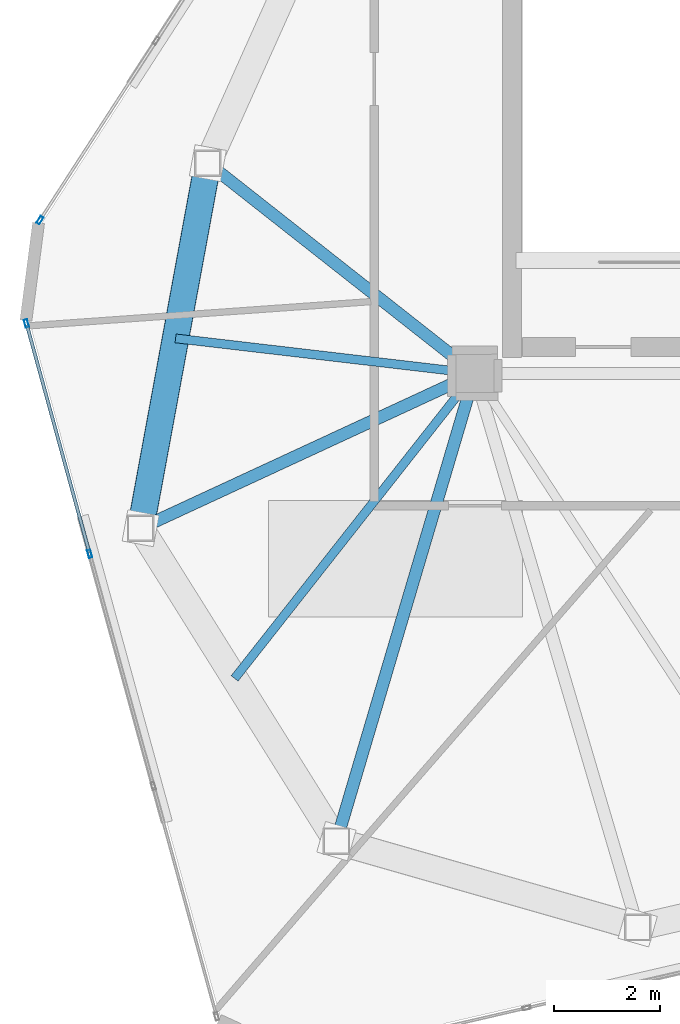
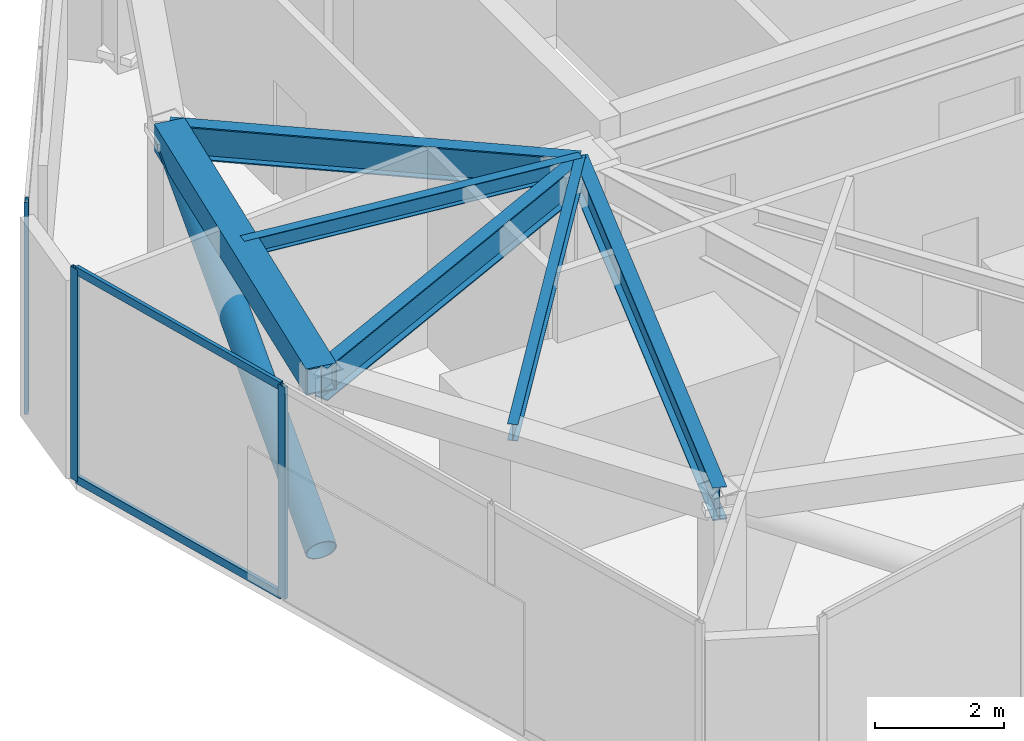
# One storey, part 5 of 20: 6 beams, 6 members, 2 elements without a shape of their own.
"""IFC4 building model written with IfcOpenShell, lengths in metres."""

from ifc_helpers import new_model, si_unit, direction, frame, origin, origin_2d, place, context, subcontext, project, spatial, hollow_rectangle, hollow_circle, i_section, extrude, source, transform, mapped, material, layer, layer_set, material_profile, profile_set, type_object, type_shapes, element, aggregate, save


model = new_model("IFC4")

# Units and contexts
model_context = context("Model", 3, precision=1e-05, world=origin(), true_north=direction((0.0, 1.0)))
body_context = subcontext(model_context, "Body", "Model", "MODEL_VIEW")
ifc_project = project(units=[si_unit("LENGTHUNIT", "METRE"), si_unit("AREAUNIT", "SQUARE_METRE"), si_unit("VOLUMEUNIT", "CUBIC_METRE"), si_unit("PLANEANGLEUNIT", "RADIAN"), si_unit("MASSUNIT", "GRAM", prefix="KILO")], contexts=[model_context])

# Site, building, storey
site_placement = place(None, origin())
site = spatial("IfcSite", under=ifc_project, at=site_placement, CompositionType="ELEMENT")
building_placement = place(site_placement, origin())
building = spatial("IfcBuilding", under=site, at=building_placement, Name="Talar Marvaseh", CompositionType="ELEMENT")
storey_placement = place(building_placement, frame((0.0, 0.0, 312.0)))
storey = spatial("IfcBuildingStorey", under=building, at=storey_placement, Name="L83", CompositionType="ELEMENT", Elevation=312.0)

# Beams
ifc_material_1 = material(Name="Steel S460", Category="steel")
ifc_material_profile_1 = material_profile(ifc_material_1, hollow_rectangle(XDim=0.5, YDim=0.5, WallThickness=0.02490234375, at=origin_2d()), Name="BOX500x500x25")
ifc_profile_set_1 = profile_set([ifc_material_profile_1], Name="Steel S460")
beam_type_1 = type_object("IfcBeamType", Name="Crown Frame Top Ring Beam BOX500x500x25", PredefinedType="BEAM", material=ifc_profile_set_1)
beam_1_placement = place(storey_placement, frame((12.388916015625, 22.576904296875, 3.47509765625), z_axis=(0.18106135948, 0.983471801377, 0.0), x_axis=(-0.983471801377, 0.18106135948, 0.0)))
element("IfcBeam", 1, at=beam_1_placement, inside=storey, type_object=beam_type_1, Name="L83 Crown Frame Top Ring Beam BOX500x500x25", PredefinedType="BEAM", context=body_context, shape_type="SweptSolid", body=[
    extrude(hollow_rectangle(XDim=0.5, YDim=0.5, WallThickness=0.02490234375, at=origin_2d()), origin(), (0.0, 0.0, 1.0), 7.0087890625),
])
ifc_material_2 = material(Name="Steel S355", Category="steel")
ifc_material_profile_2 = material_profile(ifc_material_2, i_section(OverallWidth=0.166015625, OverallDepth=0.31298828125, WebThickness=0.006591796875, FlangeThickness=0.01123046875, at=origin_2d()), Name="W310x45")
ifc_profile_set_2 = profile_set([ifc_material_profile_2], Name="Steel S355")
beam_type_2 = type_object("IfcBeamType", Name="Zone 3 Secondary Floor Joist W310x45", PredefinedType="JOIST", material=ifc_profile_set_2)
beam_2_placement = place(storey_placement, frame((13.048828125, 26.161376953125, 3.568603515625), z_axis=(0.993221011039, -0.116241228622, 0.0), x_axis=(0.116241228622, 0.993221011039, 0.0)))
element("IfcBeam", 2, at=beam_2_placement, inside=storey, type_object=beam_type_2, Name="L83 Zone 3 Secondary Floor Joist W310x45", PredefinedType="JOIST", context=body_context, shape_type="SweptSolid", body=[
    extrude(i_section(OverallWidth=0.166015625, OverallDepth=0.31298828125, WebThickness=0.006591796875, FlangeThickness=0.01123046875, at=origin_2d()), origin(), (0.0, 0.0, 1.0), 5.689697265625),
])
beam_3_placement = place(storey_placement, frame((14.1640625, 19.74072265625, 3.568603515625), z_axis=(0.618727137907, 0.785605962819, 0.0), x_axis=(-0.785605962819, 0.618727137907, 0.0)))
element("IfcBeam", 3, at=beam_3_placement, inside=storey, type_object=beam_type_2, Name="L83 Zone 3 Secondary Floor Joist W310x45", PredefinedType="JOIST", context=body_context, shape_type="SweptSolid", body=[
    extrude(i_section(OverallWidth=0.166015625, OverallDepth=0.31298828125, WebThickness=0.006591796875, FlangeThickness=0.01123046875, at=origin_2d()), origin(), (0.0, 0.0, 1.0), 7.3310546875),
])
ifc_material_profile_3 = material_profile(ifc_material_2, i_section(OverallWidth=0.22998046875, OverallDepth=0.616943359375, WebThickness=0.01318359375, FlangeThickness=0.022216796875, at=origin_2d()), Name="W610x140")
ifc_profile_set_3 = profile_set([ifc_material_profile_3], Name="Steel S355")
beam_type_3 = type_object("IfcBeamType", Name="Zone 4 Radial Floor Girder W610x140", PredefinedType="BEAM", material=ifc_profile_set_3)
beam_4_placement = place(storey_placement, frame((12.388916015625, 22.576904296875, 3.41650390625), z_axis=(0.907394527995, 0.420279871709, 0.0), x_axis=(-0.420279871709, 0.907394527995, 0.0)))
element("IfcBeam", 4, at=beam_4_placement, inside=storey, type_object=beam_type_3, Name="L83 Zone 4 Radial Floor Girder W610x140", PredefinedType="BEAM", context=body_context, shape_type="SweptSolid", body=[
    extrude(i_section(OverallWidth=0.22998046875, OverallDepth=0.616943359375, WebThickness=0.01318359375, FlangeThickness=0.022216796875, at=origin_2d()), origin(), (0.0, 0.0, 1.0), 6.955078125),
])
beam_5_placement = place(storey_placement, frame((13.657958984375, 29.469970703125, 3.41650390625), z_axis=(0.785681617372, -0.618631066245, 0.0), x_axis=(0.618631066245, 0.785681617372, 0.0)))
element("IfcBeam", 5, at=beam_5_placement, inside=storey, type_object=beam_type_3, Name="L83 Zone 4 Radial Floor Girder W610x140", PredefinedType="BEAM", context=body_context, shape_type="SweptSolid", body=[
    extrude(i_section(OverallWidth=0.22998046875, OverallDepth=0.616943359375, WebThickness=0.01318359375, FlangeThickness=0.022216796875, at=origin_2d()), origin(), (0.0, 0.0, 1.0), 6.417236328125),
])
beam_6_placement = place(storey_placement, frame((16.0869140625, 16.66796875, 3.41650390625), z_axis=(0.283702937759, 0.958912218666, 0.0), x_axis=(-0.958912218666, 0.283702937759, 0.0)))
element("IfcBeam", 6, at=beam_6_placement, inside=storey, type_object=beam_type_3, Name="L83 Zone 4 Radial Floor Girder W610x140", PredefinedType="BEAM", context=body_context, shape_type="SweptSolid", body=[
    extrude(i_section(OverallWidth=0.22998046875, OverallDepth=0.616943359375, WebThickness=0.01318359375, FlangeThickness=0.022216796875, at=origin_2d()), origin(), (0.0, 0.0, 1.0), 9.21044921875),
])

# Member
ifc_material_profile_4 = material_profile(ifc_material_1, hollow_circle(Radius=0.25390625, WallThickness=0.02001953125, at=origin_2d()), Name="CHS508x20")
ifc_profile_set_4 = profile_set([ifc_material_profile_4], Name="Steel S460")
member_type_1 = type_object("IfcMemberType", Name="Crown Frame Diagonal Brace CHS508x20", PredefinedType="BRACE", material=ifc_profile_set_4)
shared_shape_1 = source(origin(), body_context, "Body", "SweptSolid", [
    extrude(hollow_circle(Radius=0.25390625, WallThickness=0.02001953125, at=origin_2d()), origin(), (0.0, 0.0, 1.0), 7.71533203125),
])
type_shapes(member_type_1, [shared_shape_1])
member_1_placement = place(storey_placement, frame((12.388916015625, 22.576904296875, 0.25), z_axis=(0.164483618282, 0.893426409883, 0.418012427377), x_axis=(-0.983471801377, 0.18106135948, 0.0)))
element("IfcMember", 7, at=member_1_placement, inside=storey, type_object=member_type_1, Name="L83 Crown Frame Diagonal Brace 1", PredefinedType="BRACE", context=body_context, shape_type="MappedRepresentation", body=[
    mapped(shared_shape_1, transform((0.0, 0.0, 0.0), x_axis=(1.0, 0.0, 0.0), y_axis=(0.0, 1.0, 0.0), z_axis=(0.0, 0.0, 1.0), scale=1.0)),
])

# Curtain wall, members
ifc_material_3 = material(Name="Architectural Aluminium", Category="aluminium")
ifc_layer = layer(ifc_material_3, 0.2099609375)
ifc_layer_set = layer_set([ifc_layer], Name="Architectural Aluminium")
curtain_wall_type = type_object("IfcCurtainWallType", Name="Crown Plant Acoustic Spandrel Curtain Wall", PredefinedType="NOTDEFINED", material=ifc_layer_set)
curtain_wall_1_placement = place(storey_placement, origin())
curtain_wall_1 = element("IfcCurtainWall", 8, at=curtain_wall_1_placement, inside=storey, type_object=curtain_wall_type, Name="L83 Crown Plant Acoustic Spandrel Curtain Wall", PredefinedType="NOTDEFINED")
ifc_material_profile_5 = material_profile(ifc_material_3, hollow_rectangle(XDim=0.06494140625, YDim=0.14990234375, WallThickness=0.00390625, at=origin_2d()), Name="RHS150x65x4")
ifc_profile_set_5 = profile_set([ifc_material_profile_5], Name="Architectural Aluminium")
member_type_2 = type_object("IfcMemberType", Name="Unitised Curtain Wall Slim Transom RHS150x65x4", PredefinedType="USERDEFINED", material=ifc_profile_set_5)
shared_shape_2 = source(origin(), body_context, "Body", "SweptSolid", [
    extrude(hollow_rectangle(XDim=0.06494140625, YDim=0.14990234375, WallThickness=0.00390625, at=origin_2d()), origin(), (0.0, 0.0, 1.0), 4.447509765625),
])
type_shapes(member_type_2, [shared_shape_2])
member_2_placement = place(storey_placement, frame((11.418701171875, 22.12451171875, 0.032470703125), z_axis=(-0.264649917498, 0.964344555213, 0.0), x_axis=(-0.964344555213, -0.264649917498, 0.0)))
member_2 = element("IfcMember", 9, at=member_2_placement, type_object=member_type_2, Name="CW-CRN transom 3.1", ObjectType="TRANSOM", PredefinedType="USERDEFINED", context=body_context, shape_type="MappedRepresentation", body=[
    mapped(shared_shape_2, transform((0.0, 0.0, 0.0), x_axis=(1.0, 0.0, 0.0), y_axis=(0.0, 1.0, 0.0), z_axis=(0.0, 0.0, 1.0), scale=1.0)),
])
member_3_placement = place(storey_placement, frame((11.418701171875, 22.12451171875, 3.967529296875), z_axis=(-0.264649917498, 0.964344555213, 0.0), x_axis=(-0.964344555213, -0.264649917498, 0.0)))
member_3 = element("IfcMember", 10, at=member_3_placement, type_object=member_type_2, Name="CW-CRN transom 3.2", ObjectType="TRANSOM", PredefinedType="USERDEFINED", context=body_context, shape_type="MappedRepresentation", body=[
    mapped(shared_shape_2, transform((0.0, 0.0, 0.0), x_axis=(1.0, 0.0, 0.0), y_axis=(0.0, 1.0, 0.0), z_axis=(0.0, 0.0, 1.0), scale=1.0)),
])
ifc_material_profile_6 = material_profile(ifc_material_3, hollow_rectangle(XDim=0.06494140625, YDim=0.14990234375, WallThickness=0.00390625, at=origin_2d()), Name="RHS150x65x4")
ifc_profile_set_6 = profile_set([ifc_material_profile_6], Name="Architectural Aluminium")
member_type_3 = type_object("IfcMemberType", Name="Unitised Curtain Wall Slim Mullion RHS150x65x4", PredefinedType="MULLION", material=ifc_profile_set_6)
shared_shape_3 = source(origin(), body_context, "Body", "SweptSolid", [
    extrude(hollow_rectangle(XDim=0.06494140625, YDim=0.14990234375, WallThickness=0.00390625, at=origin_2d()), origin(), (0.0, 0.0, 1.0), 4.0),
])
type_shapes(member_type_3, [shared_shape_3])
member_4_placement = place(storey_placement, frame((11.427490234375, 22.09326171875, 0.0), z_axis=(0.0, 0.0, 1.0), x_axis=(-0.964344721115, -0.264649312974, 0.0)))
member_4 = element("IfcMember", 11, at=member_4_placement, type_object=member_type_3, Name="CW-CRN mullion 3", PredefinedType="MULLION", context=body_context, shape_type="MappedRepresentation", body=[
    mapped(shared_shape_3, transform((0.0, 0.0, 0.0), x_axis=(1.0, 0.0, 0.0), y_axis=(0.0, 1.0, 0.0), z_axis=(0.0, 0.0, 1.0), scale=1.0)),
])
member_5_placement = place(storey_placement, frame((10.233154296875, 26.444580078125, 0.0), z_axis=(0.0, 0.0, 1.0), x_axis=(-0.964344721115, -0.264649312974, 0.0)))
member_5 = element("IfcMember", 12, at=member_5_placement, type_object=member_type_3, Name="CW-CRN mullion 4", PredefinedType="MULLION", context=body_context, shape_type="MappedRepresentation", body=[
    mapped(shared_shape_3, transform((0.0, 0.0, 0.0), x_axis=(1.0, 0.0, 0.0), y_axis=(0.0, 1.0, 0.0), z_axis=(0.0, 0.0, 1.0), scale=1.0)),
])
aggregate(curtain_wall_1, [member_4, member_5, member_2, member_3])

# Curtain wall, member
curtain_wall_2_placement = place(storey_placement, origin())
curtain_wall_2 = element("IfcCurtainWall", 13, at=curtain_wall_2_placement, inside=storey, type_object=curtain_wall_type, Name="L83 Crown Plant Acoustic Spandrel Curtain Wall", PredefinedType="NOTDEFINED")
member_6_placement = place(storey_placement, frame((10.488037109375, 28.39306640625, 0.0), z_axis=(0.0, 0.0, 1.0), x_axis=(-0.839314430427, 0.543646288387, 0.0)))
member_6 = element("IfcMember", 14, at=member_6_placement, type_object=member_type_3, Name="CW-CRN mullion 1", PredefinedType="MULLION", context=body_context, shape_type="MappedRepresentation", body=[
    mapped(shared_shape_3, transform((0.0, 0.0, 0.0), x_axis=(1.0, 0.0, 0.0), y_axis=(0.0, 1.0, 0.0), z_axis=(0.0, 0.0, 1.0), scale=1.0)),
])
aggregate(curtain_wall_2, [member_6])

save(model, "model.ifc")
